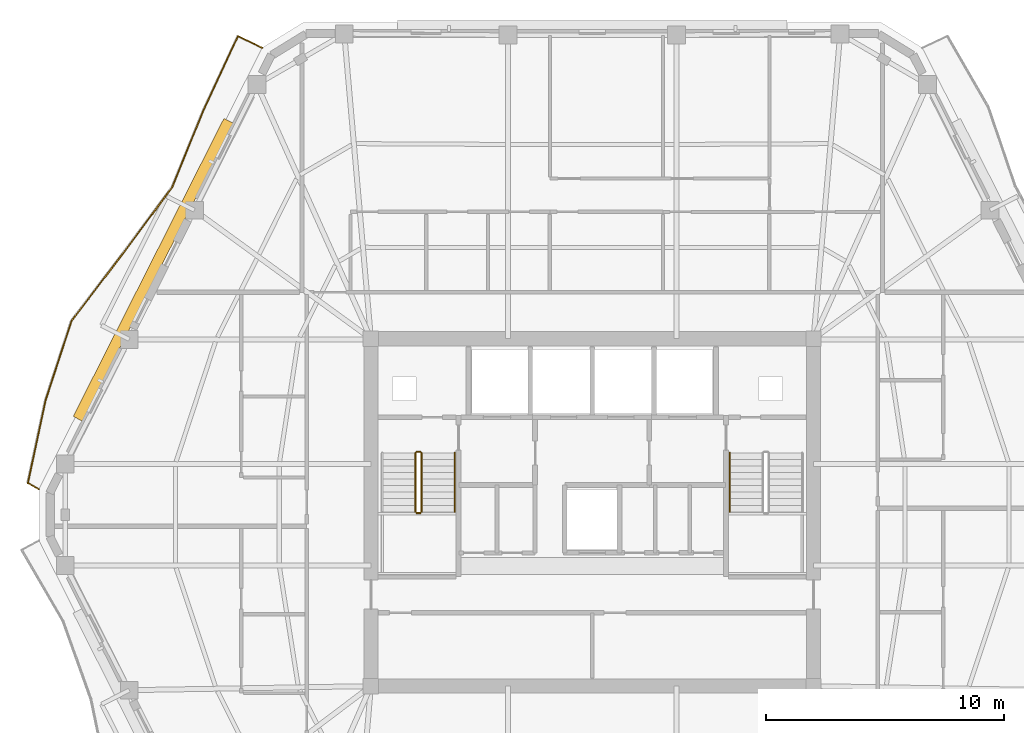
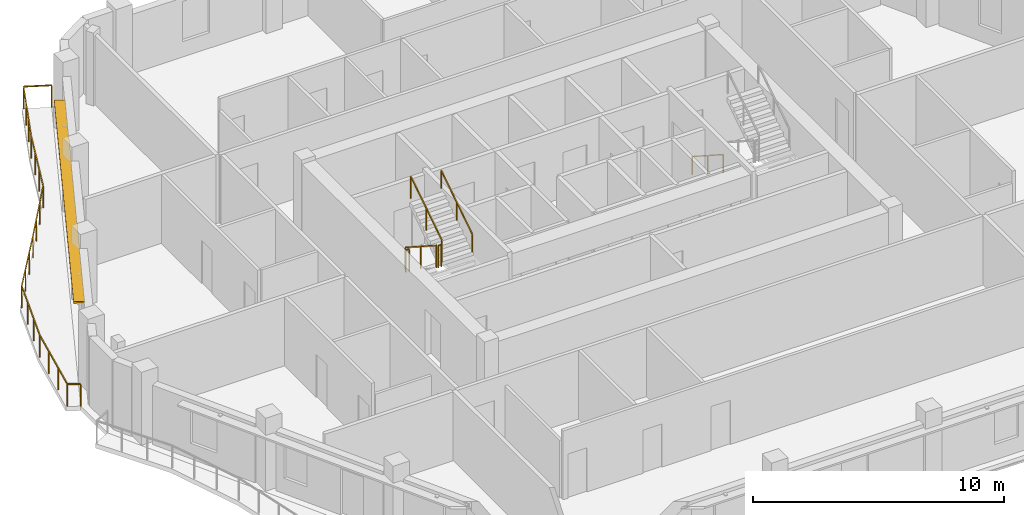
# One storey, part 9 of 11: 7 railings, 1 shading device.
"""IFC4 building model written with IfcOpenShell, lengths in metres."""

from ifc_helpers import new_model, si_unit, direction, frame, origin, origin_2d, place, context, subcontext, project, spatial, rectangle, extrude, material, layer, layer_set, type_object, element, save


model = new_model("IFC4")

# Units and contexts
model_context = context("Model", 3, precision=1e-05, world=origin(), true_north=direction((0.0, 1.0)))
body_context = subcontext(model_context, "Body", "Model", "MODEL_VIEW")
ifc_project = project(units=[si_unit("LENGTHUNIT", "METRE"), si_unit("AREAUNIT", "SQUARE_METRE"), si_unit("VOLUMEUNIT", "CUBIC_METRE"), si_unit("PLANEANGLEUNIT", "RADIAN"), si_unit("MASSUNIT", "GRAM", prefix="KILO")], contexts=[model_context])

# Site, building, storey
site_placement = place(None, origin())
site = spatial("IfcSite", under=ifc_project, at=site_placement, CompositionType="ELEMENT")
building_placement = place(site_placement, origin())
building = spatial("IfcBuilding", under=site, at=building_placement, Name="Cinnabar Lancet Tower", CompositionType="ELEMENT")
storey_placement = place(building_placement, frame((0.0, 0.0, 214.5)))
storey = spatial("IfcBuildingStorey", under=building, at=storey_placement, Name="L57", CompositionType="ELEMENT", Elevation=214.5)

# Railing
ifc_material_1 = material(Name="Laminated safety glass and bronze stainless steel balustrade", Category="steel")
railing_type_1 = type_object("IfcRailingType", Name="ENV-RLG-BAL-1100", PredefinedType="BALUSTRADE", material=ifc_material_1)
railing_1_placement = place(storey_placement, frame((18.530029296875, 45.428955078125, 0.0)))
element("IfcRailing", 1, at=railing_1_placement, inside=storey, type_object=railing_type_1, Name="L57 Face 5 Wave Balcony Balustrade", PredefinedType="BALUSTRADE", context=body_context, shape_type="SweptSolid", body=[
    extrude(rectangle(XDim=0.048095703125, YDim=0.048095703125, at=origin_2d()), frame((0.0, 0.0, 1.076171875), z_axis=(-0.904475632568, 0.426525298301, 0.0), x_axis=(-0.426525298301, -0.904475632568, 0.0)), (0.0, 0.0, 1.0), 1.1298828125),
    extrude(rectangle(XDim=0.048095703125, YDim=0.048095703125, at=origin_2d()), frame((-1.02197265625, 0.48193359375, 1.076171875), z_axis=(-0.42171455885, -0.906728642348, 0.0), x_axis=(0.906728642348, -0.42171455885, 0.0)), (0.0, 0.0, 1.0), 3.459716796875),
    extrude(rectangle(XDim=0.048095703125, YDim=0.048095703125, at=origin_2d()), frame((-2.48095703125, -2.655029296875, 1.076171875), z_axis=(-0.376603615654, -0.926374501309, 0.0), x_axis=(0.926374501309, -0.376603615654, 0.0)), (0.0, 0.0, 1.0), 3.46826171875),
    extrude(rectangle(XDim=0.048095703125, YDim=0.048095703125, at=origin_2d()), frame((-3.787109375, -5.867919921875, 1.076171875), z_axis=(-0.596272724113, -0.802781937065, 0.0), x_axis=(0.802781937065, -0.596272724113, 0.0)), (0.0, 0.0, 1.0), 3.506591796875),
    extrude(rectangle(XDim=0.048095703125, YDim=0.048095703125, at=origin_2d()), frame((-5.8779296875, -8.682861328125, 1.076171875), z_axis=(-0.606748419411, -0.794893927227, 0.0), x_axis=(0.794893927227, -0.606748419411, 0.0)), (0.0, 0.0, 1.0), 3.513916015625),
    extrude(rectangle(XDim=0.048095703125, YDim=0.048095703125, at=origin_2d()), frame((-8.010009765625, -11.47607421875, 1.076171875), z_axis=(-0.311448357801, -0.950263079585, 0.0), x_axis=(0.950263079585, -0.311448357801, 0.0)), (0.0, 0.0, 1.0), 3.496826171875),
    extrude(rectangle(XDim=0.048095703125, YDim=0.048095703125, at=origin_2d()), frame((-9.09912109375, -14.799072265625, 1.076171875), z_axis=(-0.209235177342, -0.977865348891, 0.0), x_axis=(0.977865348891, -0.209235177342, 0.0)), (0.0, 0.0, 1.0), 3.573974609375),
    extrude(rectangle(XDim=0.048095703125, YDim=0.048095703125, at=origin_2d()), frame((-9.846923828125, -18.2939453125, 1.076171875), z_axis=(0.866906303058, -0.498471124258, 0.0), x_axis=(0.498471124258, 0.866906303058, 0.0)), (0.0, 0.0, 1.0), 0.529541015625),
    extrude(rectangle(XDim=0.0419921875, YDim=0.0419921875, at=origin_2d()), origin(), (0.0, 0.0, 1.0), 1.052001953125),
    extrude(rectangle(XDim=0.0419921875, YDim=0.0419921875, at=origin_2d()), frame((-1.02197265625, 0.48193359375, 0.0)), (0.0, 0.0, 1.0), 1.052001953125),
    extrude(rectangle(XDim=0.0419921875, YDim=0.0419921875, at=origin_2d()), frame((-1.50830078125, -0.563720703125, 0.0)), (0.0, 0.0, 1.0), 1.052001953125),
    extrude(rectangle(XDim=0.0419921875, YDim=0.0419921875, at=origin_2d()), frame((-1.99462890625, -1.609375, 0.0)), (0.0, 0.0, 1.0), 1.052001953125),
    extrude(rectangle(XDim=0.0419921875, YDim=0.0419921875, at=origin_2d()), frame((-2.48095703125, -2.655029296875, 0.0)), (0.0, 0.0, 1.0), 1.052001953125),
    extrude(rectangle(XDim=0.0419921875, YDim=0.0419921875, at=origin_2d()), frame((-2.916259765625, -3.72607421875, 0.0)), (0.0, 0.0, 1.0), 1.052001953125),
    extrude(rectangle(XDim=0.0419921875, YDim=0.0419921875, at=origin_2d()), frame((-3.351806640625, -4.796875, 0.0)), (0.0, 0.0, 1.0), 1.052001953125),
    extrude(rectangle(XDim=0.0419921875, YDim=0.0419921875, at=origin_2d()), frame((-3.787109375, -5.867919921875, 0.0)), (0.0, 0.0, 1.0), 1.052001953125),
    extrude(rectangle(XDim=0.0419921875, YDim=0.0419921875, at=origin_2d()), frame((-4.484130859375, -6.80615234375, 0.0)), (0.0, 0.0, 1.0), 1.052001953125),
    extrude(rectangle(XDim=0.0419921875, YDim=0.0419921875, at=origin_2d()), frame((-5.180908203125, -7.74462890625, 0.0)), (0.0, 0.0, 1.0), 1.052001953125),
    extrude(rectangle(XDim=0.0419921875, YDim=0.0419921875, at=origin_2d()), frame((-5.8779296875, -8.682861328125, 0.0)), (0.0, 0.0, 1.0), 1.052001953125),
    extrude(rectangle(XDim=0.0419921875, YDim=0.0419921875, at=origin_2d()), frame((-6.588623046875, -9.614013671875, 0.0)), (0.0, 0.0, 1.0), 1.052001953125),
    extrude(rectangle(XDim=0.0419921875, YDim=0.0419921875, at=origin_2d()), frame((-7.29931640625, -10.544921875, 0.0)), (0.0, 0.0, 1.0), 1.052001953125),
    extrude(rectangle(XDim=0.0419921875, YDim=0.0419921875, at=origin_2d()), frame((-8.010009765625, -11.47607421875, 0.0)), (0.0, 0.0, 1.0), 1.052001953125),
    extrude(rectangle(XDim=0.0419921875, YDim=0.0419921875, at=origin_2d()), frame((-8.373046875, -12.583740234375, 0.0)), (0.0, 0.0, 1.0), 1.052001953125),
    extrude(rectangle(XDim=0.0419921875, YDim=0.0419921875, at=origin_2d()), frame((-8.736083984375, -13.69140625, 0.0)), (0.0, 0.0, 1.0), 1.052001953125),
    extrude(rectangle(XDim=0.0419921875, YDim=0.0419921875, at=origin_2d()), frame((-9.09912109375, -14.799072265625, 0.0)), (0.0, 0.0, 1.0), 1.052001953125),
    extrude(rectangle(XDim=0.0419921875, YDim=0.0419921875, at=origin_2d()), frame((-9.348388671875, -15.964111328125, 0.0)), (0.0, 0.0, 1.0), 1.052001953125),
    extrude(rectangle(XDim=0.0419921875, YDim=0.0419921875, at=origin_2d()), frame((-9.59765625, -17.12890625, 0.0)), (0.0, 0.0, 1.0), 1.052001953125),
    extrude(rectangle(XDim=0.0419921875, YDim=0.0419921875, at=origin_2d()), frame((-9.846923828125, -18.2939453125, 0.0)), (0.0, 0.0, 1.0), 1.052001953125),
    extrude(rectangle(XDim=0.0419921875, YDim=0.0419921875, at=origin_2d()), frame((-9.387939453125, -18.557861328125, 0.0)), (0.0, 0.0, 1.0), 1.052001953125),
])

# Shading device
ifc_material_2 = material(Name="Pale limestone architectural aluminium sunshade", Category="masonry")
ifc_layer = layer(ifc_material_2, 0.080078125)
ifc_layer_set = layer_set([ifc_layer], Name="Pale limestone architectural aluminium sunshade")
shading_device_type = type_object("IfcShadingDeviceType", Name="ENV-SHD-LVR-450", PredefinedType="JALOUSIE", material=ifc_layer_set)
shading_device_placement = place(storey_placement, frame((13.9541015625, 36.093994140625, 2.639892578125), z_axis=(0.0, 0.0, 1.0), x_axis=(-0.45140713236, -0.892318105193, 0.0)))
element("IfcShadingDevice", 2, at=shading_device_placement, inside=storey, type_object=shading_device_type, Name="L57 Face 5 Horizontal Sunshade Canopy", PredefinedType="JALOUSIE", context=body_context, shape_type="SweptSolid", body=[
    extrude(rectangle(XDim=14.034912109375, YDim=0.449951171875, at=origin_2d()), origin(), (0.0, 0.0, 1.0), 0.080078125),
])

# Railings
ifc_material_3 = material(Name="Painted galvanized steel balustrade", Category="steel")
railing_type_2 = type_object("IfcRailingType", Name="GUARD-STAIR", PredefinedType="GUARDRAIL", material=ifc_material_3)
railing_2_placement = place(storey_placement, frame((24.97509765625, 28.39990234375, 0.177490234375)))
element("IfcRailing", 3, at=railing_2_placement, inside=storey, type_object=railing_type_2, Name="L57 ST-1 stair guard 1", PredefinedType="GUARDRAIL", context=body_context, shape_type="SweptSolid", body=[
    extrude(rectangle(XDim=0.048095703125, YDim=0.048095703125, at=origin_2d()), frame((0.0, 0.0, 1.076171875), z_axis=(0.0, -0.840183358697, 0.542302428327), x_axis=(1.0, 0.0, 0.0)), (0.0, 0.0, 1.0), 2.945556640625),
    extrude(rectangle(XDim=0.0419921875, YDim=0.0419921875, at=origin_2d()), origin(), (0.0, 0.0, 1.0), 1.052001953125),
    extrude(rectangle(XDim=0.0419921875, YDim=0.0419921875, at=origin_2d()), frame((0.0, -1.2373046875, 0.798828125)), (0.0, 0.0, 1.0), 1.052001953125),
    extrude(rectangle(XDim=0.0419921875, YDim=0.0419921875, at=origin_2d()), frame((0.0, -2.474853515625, 1.597412109375)), (0.0, 0.0, 1.0), 1.052001953125),
])
railing_3_placement = place(storey_placement, frame((25.02490234375, 25.875, 1.77490234375)))
element("IfcRailing", 4, at=railing_3_placement, inside=storey, type_object=railing_type_2, Name="L57 ST-1 stair guard 2", PredefinedType="GUARDRAIL", context=body_context, shape_type="SweptSolid", body=[
    extrude(rectangle(XDim=0.048095703125, YDim=0.048095703125, at=origin_2d()), frame((0.0, 0.0, 1.076171875), z_axis=(1.0, 0.0, 0.0), x_axis=(0.0, 1.0, 0.0)), (0.0, 0.0, 1.0), 0.150146484375),
    extrude(rectangle(XDim=0.0419921875, YDim=0.0419921875, at=origin_2d()), origin(), (0.0, 0.0, 1.0), 1.052001953125),
    extrude(rectangle(XDim=0.0419921875, YDim=0.0419921875, at=origin_2d()), frame((0.150146484375, 0.0, 0.0)), (0.0, 0.0, 1.0), 1.052001953125),
])
railing_4_placement = place(storey_placement, frame((25.22509765625, 25.925048828125, 1.952392578125)))
element("IfcRailing", 5, at=railing_4_placement, inside=storey, type_object=railing_type_2, Name="L57 ST-1 stair guard 3", PredefinedType="GUARDRAIL", context=body_context, shape_type="SweptSolid", body=[
    extrude(rectangle(XDim=0.048095703125, YDim=0.048095703125, at=origin_2d()), frame((0.0, 0.0, 1.076171875), z_axis=(0.0, 0.84014559416, 0.542360932049), x_axis=(-1.0, 0.0, 0.0)), (0.0, 0.0, 1.0), 2.94580078125),
    extrude(rectangle(XDim=0.0419921875, YDim=0.0419921875, at=origin_2d()), origin(), (0.0, 0.0, 1.0), 1.052001953125),
    extrude(rectangle(XDim=0.0419921875, YDim=0.0419921875, at=origin_2d()), frame((0.0, 1.2373046875, 0.798828125)), (0.0, 0.0, 1.0), 1.052001953125),
    extrude(rectangle(XDim=0.0419921875, YDim=0.0419921875, at=origin_2d()), frame((0.0, 2.474853515625, 1.59765625)), (0.0, 0.0, 1.0), 1.052001953125),
])
railing_5_placement = place(storey_placement, frame((25.02490234375, 28.449951171875, 0.0)))
element("IfcRailing", 6, at=railing_5_placement, inside=storey, type_object=railing_type_2, Name="L57 ST-1 stair guard 4", PredefinedType="GUARDRAIL", context=body_context, shape_type="SweptSolid", body=[
    extrude(rectangle(XDim=0.048095703125, YDim=0.048095703125, at=origin_2d()), frame((0.0, 0.0, 1.076171875), z_axis=(1.0, 0.0, 0.0), x_axis=(0.0, 1.0, 0.0)), (0.0, 0.0, 1.0), 0.150146484375),
    extrude(rectangle(XDim=0.0419921875, YDim=0.0419921875, at=origin_2d()), origin(), (0.0, 0.0, 1.0), 1.052001953125),
    extrude(rectangle(XDim=0.0419921875, YDim=0.0419921875, at=origin_2d()), frame((0.150146484375, 0.0, 0.0)), (0.0, 0.0, 1.0), 1.052001953125),
])
ifc_material_4 = material(Name="Brushed stainless steel handrail", Category="steel")
railing_type_3 = type_object("IfcRailingType", Name="HANDRAIL-STAIR", PredefinedType="HANDRAIL", material=ifc_material_4)
railing_6_placement = place(storey_placement, frame((26.625, 25.925048828125, 1.952392578125)))
element("IfcRailing", 7, at=railing_6_placement, inside=storey, type_object=railing_type_3, Name="L57 ST-1 stair handrail 2", PredefinedType="HANDRAIL", context=body_context, shape_type="SweptSolid", body=[
    extrude(rectangle(XDim=0.048095703125, YDim=0.048095703125, at=origin_2d()), frame((0.0, 0.0, 0.8759765625), z_axis=(0.0, 0.84014559416, 0.542360932049), x_axis=(-1.0, 0.0, 0.0)), (0.0, 0.0, 1.0), 2.94580078125),
    extrude(rectangle(XDim=0.0419921875, YDim=0.0419921875, at=origin_2d()), origin(), (0.0, 0.0, 1.0), 0.851806640625),
    extrude(rectangle(XDim=0.0419921875, YDim=0.0419921875, at=origin_2d()), frame((0.0, 1.2373046875, 0.798828125)), (0.0, 0.0, 1.0), 0.851806640625),
    extrude(rectangle(XDim=0.0419921875, YDim=0.0419921875, at=origin_2d()), frame((0.0, 2.474853515625, 1.59765625)), (0.0, 0.0, 1.0), 0.851806640625),
])
railing_7_placement = place(storey_placement, frame((38.175048828125, 28.39990234375, 0.177490234375)))
element("IfcRailing", 8, at=railing_7_placement, inside=storey, type_object=railing_type_3, Name="L57 ST-2 stair handrail 1", PredefinedType="HANDRAIL", context=body_context, shape_type="SweptSolid", body=[
    extrude(rectangle(XDim=0.048095703125, YDim=0.048095703125, at=origin_2d()), frame((0.0, 0.0, 0.8759765625), z_axis=(0.0, -0.840183358697, 0.542302428327), x_axis=(1.0, 0.0, 0.0)), (0.0, 0.0, 1.0), 2.945556640625),
    extrude(rectangle(XDim=0.0419921875, YDim=0.0419921875, at=origin_2d()), origin(), (0.0, 0.0, 1.0), 0.851806640625),
    extrude(rectangle(XDim=0.0419921875, YDim=0.0419921875, at=origin_2d()), frame((0.0, -1.2373046875, 0.798828125)), (0.0, 0.0, 1.0), 0.851806640625),
    extrude(rectangle(XDim=0.0419921875, YDim=0.0419921875, at=origin_2d()), frame((0.0, -2.474853515625, 1.597412109375)), (0.0, 0.0, 1.0), 0.851806640625),
])

save(model, "model.ifc")
